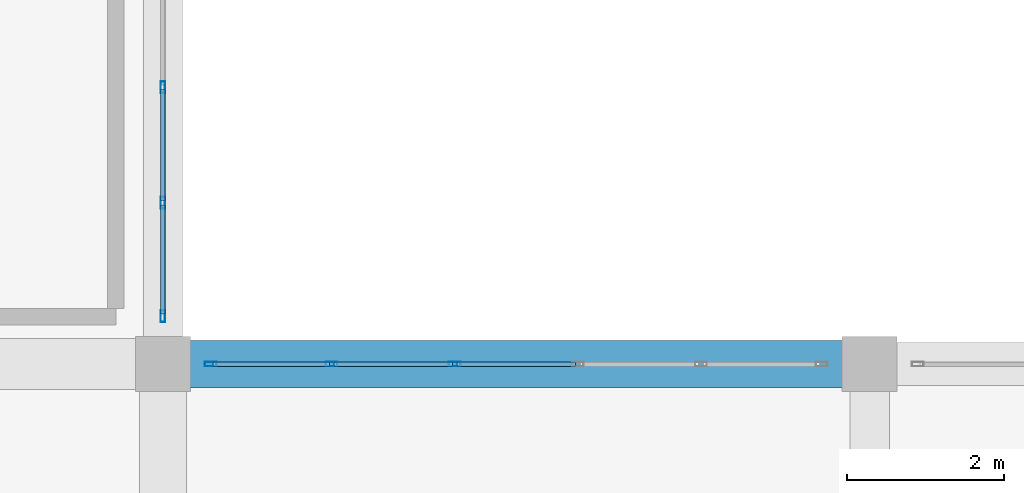
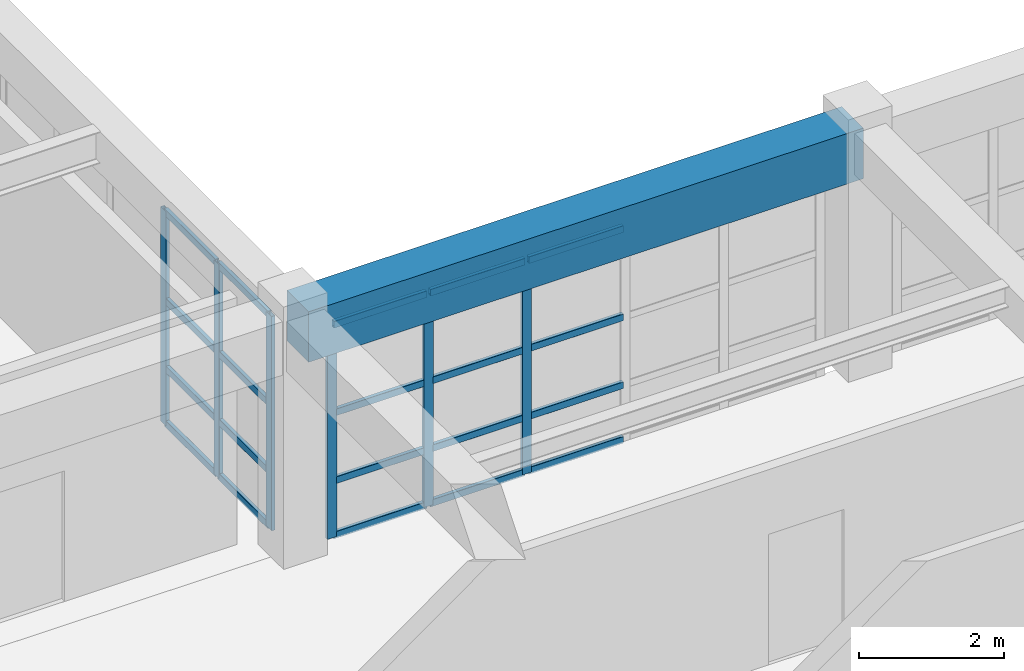
# One storey, part 54 of 133: 26 members, 1 beam, 2 elements without a shape of their own.
"""IFC4 building model written with IfcOpenShell, lengths in metres."""

from ifc_helpers import new_model, si_unit, direction, frame, origin, origin_2d, place, context, subcontext, project, spatial, rectangle, hollow_rectangle, extrude, material, material_profile, profile_set, type_object, element, aggregate, save


model = new_model("IFC4")

# Units and contexts
model_context = context("Model", 3, precision=1e-05, world=origin(), true_north=direction((0.0, 1.0)))
body_context = subcontext(model_context, "Body", "Model", "MODEL_VIEW")
ifc_project = project(units=[si_unit("LENGTHUNIT", "METRE"), si_unit("AREAUNIT", "SQUARE_METRE"), si_unit("VOLUMEUNIT", "CUBIC_METRE"), si_unit("PLANEANGLEUNIT", "RADIAN"), si_unit("MASSUNIT", "GRAM", prefix="KILO")], contexts=[model_context])

# Site, building, storey
site_placement = place(None, origin())
site = spatial("IfcSite", under=ifc_project, at=site_placement, CompositionType="ELEMENT")
building_placement = place(site_placement, origin())
building = spatial("IfcBuilding", under=site, at=building_placement, Name="Miravela Opera House", CompositionType="ELEMENT")
storey_placement = place(building_placement, frame((0.0, 0.0, 5.10009765625)))
storey = spatial("IfcBuildingStorey", under=building, at=storey_placement, Name="L01", CompositionType="ELEMENT", Elevation=5.10009765625)

# Curtain wall, members
ifc_material_1 = material(Name="Anodised architectural bronze aluminium 6063-T6", Category="aluminium")
curtain_wall_type = type_object("IfcCurtainWallType", Name="ARC-CW-05", PredefinedType="NOTDEFINED", material=ifc_material_1)
curtain_wall_1_placement = place(storey_placement, origin())
curtain_wall_1 = element("IfcCurtainWall", 1, at=curtain_wall_1_placement, inside=storey, type_object=curtain_wall_type, Name="Courtyard Arcade Curtain Wall CW-L01-077", PredefinedType="NOTDEFINED")
ifc_material_profile_1 = material_profile(ifc_material_1, hollow_rectangle(XDim=0.06005859375, YDim=0.14990234375, WallThickness=0.00390625, InnerFilletRadius=0.001953125, OuterFilletRadius=0.00390625, at=origin_2d()), Name="CWM-60X150")
ifc_profile_set_1 = profile_set([ifc_material_profile_1])
member_type_1 = type_object("IfcMemberType", Name="ARC-CWM-150", PredefinedType="MULLION", material=ifc_profile_set_1)
member_1_placement = place(storey_placement, frame((27.610107421875, 84.0, 0.0), z_axis=(0.0, 0.0, 1.0), x_axis=(0.0, 1.0, 0.0)))
member_1 = element("IfcMember", 2, at=member_1_placement, type_object=member_type_1, Name="CW-05 mullion 1", PredefinedType="MULLION", context=body_context, shape_type="SweptSolid", body=[
    extrude(hollow_rectangle(XDim=0.06005859375, YDim=0.14990234375, WallThickness=0.00390625, InnerFilletRadius=0.001953125, OuterFilletRadius=0.00390625, at=origin_2d()), origin(), (0.0, 0.0, 1.0), 3.60986328125),
])
member_2_placement = place(storey_placement, frame((29.14794921875, 84.0, 0.0), z_axis=(0.0, 0.0, 1.0), x_axis=(0.0, 1.0, 0.0)))
member_2 = element("IfcMember", 3, at=member_2_placement, type_object=member_type_1, Name="CW-05 mullion 2", PredefinedType="MULLION", context=body_context, shape_type="SweptSolid", body=[
    extrude(hollow_rectangle(XDim=0.06005859375, YDim=0.14990234375, WallThickness=0.00390625, InnerFilletRadius=0.001953125, OuterFilletRadius=0.00390625, at=origin_2d()), origin(), (0.0, 0.0, 1.0), 3.60986328125),
])
member_3_placement = place(storey_placement, frame((30.716064453125, 84.0, 0.0), z_axis=(0.0, 0.0, 1.0), x_axis=(0.0, 1.0, 0.0)))
member_3 = element("IfcMember", 4, at=member_3_placement, type_object=member_type_1, Name="CW-05 mullion 3", PredefinedType="MULLION", context=body_context, shape_type="SweptSolid", body=[
    extrude(hollow_rectangle(XDim=0.06005859375, YDim=0.14990234375, WallThickness=0.00390625, InnerFilletRadius=0.001953125, OuterFilletRadius=0.00390625, at=origin_2d()), origin(), (0.0, 0.0, 1.0), 3.60986328125),
])

curtain_wall_2_placement = place(storey_placement, origin())
curtain_wall_2 = element("IfcCurtainWall", 5, at=curtain_wall_2_placement, inside=storey, type_object=curtain_wall_type, Name="Courtyard Arcade Curtain Wall CW-L01-085", PredefinedType="NOTDEFINED")
member_4_placement = place(storey_placement, frame((27.0, 84.610107421875, 0.0), z_axis=(0.0, 0.0, 1.0), x_axis=(-1.0, 0.0, 0.0)))
member_4 = element("IfcMember", 6, at=member_4_placement, type_object=member_type_1, Name="CW-05 mullion 1", PredefinedType="MULLION", context=body_context, shape_type="SweptSolid", body=[
    extrude(hollow_rectangle(XDim=0.06005859375, YDim=0.14990234375, WallThickness=0.00390625, InnerFilletRadius=0.001953125, OuterFilletRadius=0.00390625, at=origin_2d()), origin(), (0.0, 0.0, 1.0), 3.60986328125),
])
member_5_placement = place(storey_placement, frame((27.0, 86.05322265625, 0.0), z_axis=(0.0, 0.0, 1.0), x_axis=(-1.0, 0.0, 0.0)))
member_5 = element("IfcMember", 7, at=member_5_placement, type_object=member_type_1, Name="CW-05 mullion 2", PredefinedType="MULLION", context=body_context, shape_type="SweptSolid", body=[
    extrude(hollow_rectangle(XDim=0.06005859375, YDim=0.14990234375, WallThickness=0.00390625, InnerFilletRadius=0.001953125, OuterFilletRadius=0.00390625, at=origin_2d()), origin(), (0.0, 0.0, 1.0), 3.60986328125),
])
member_6_placement = place(storey_placement, frame((27.0, 87.526611328125, 0.0), z_axis=(0.0, 0.0, 1.0), x_axis=(-1.0, 0.0, 0.0)))
member_6 = element("IfcMember", 8, at=member_6_placement, type_object=member_type_1, Name="CW-05 mullion 3", PredefinedType="MULLION", context=body_context, shape_type="SweptSolid", body=[
    extrude(hollow_rectangle(XDim=0.06005859375, YDim=0.14990234375, WallThickness=0.00390625, InnerFilletRadius=0.001953125, OuterFilletRadius=0.00390625, at=origin_2d()), origin(), (0.0, 0.0, 1.0), 3.60986328125),
])

# Member
ifc_material_profile_2 = material_profile(ifc_material_1, hollow_rectangle(XDim=0.06005859375, YDim=0.114990234375, WallThickness=0.00390625, InnerFilletRadius=0.001953125, OuterFilletRadius=0.00390625, at=origin_2d()), Name="CWT-60X115")
ifc_profile_set_2 = profile_set([ifc_material_profile_2])
member_type_2 = type_object("IfcMemberType", Name="ARC-CWT-115", PredefinedType="USERDEFINED", material=ifc_profile_set_2)
member_7_placement = place(storey_placement, frame((27.639892578125, 84.0, 0.02978515625), z_axis=(1.0, 0.0, 0.0), x_axis=(0.0, 1.0, 0.0)))
member_7 = element("IfcMember", 9, at=member_7_placement, type_object=member_type_2, Name="CW-05 transom 1.1", ObjectType="TRANSOM", PredefinedType="USERDEFINED", context=body_context, shape_type="SweptSolid", body=[
    extrude(hollow_rectangle(XDim=0.06005859375, YDim=0.114990234375, WallThickness=0.00390625, InnerFilletRadius=0.001953125, OuterFilletRadius=0.00390625, at=origin_2d()), origin(), (0.0, 0.0, 1.0), 1.47802734375),
])

member_8_placement = place(storey_placement, frame((27.639892578125, 84.0, 0.949951171875), z_axis=(1.0, 0.0, 0.0), x_axis=(0.0, 1.0, 0.0)))
member_8 = element("IfcMember", 10, at=member_8_placement, type_object=member_type_2, Name="CW-05 transom 1.2", ObjectType="TRANSOM", PredefinedType="USERDEFINED", context=body_context, shape_type="SweptSolid", body=[
    extrude(hollow_rectangle(XDim=0.06005859375, YDim=0.114990234375, WallThickness=0.00390625, InnerFilletRadius=0.001953125, OuterFilletRadius=0.00390625, at=origin_2d()), origin(), (0.0, 0.0, 1.0), 1.47802734375),
])

member_9_placement = place(storey_placement, frame((27.639892578125, 84.0, 2.09375), z_axis=(1.0, 0.0, 0.0), x_axis=(0.0, 1.0, 0.0)))
member_9 = element("IfcMember", 11, at=member_9_placement, type_object=member_type_2, Name="CW-05 transom 1.3", ObjectType="TRANSOM", PredefinedType="USERDEFINED", context=body_context, shape_type="SweptSolid", body=[
    extrude(hollow_rectangle(XDim=0.06005859375, YDim=0.114990234375, WallThickness=0.00390625, InnerFilletRadius=0.001953125, OuterFilletRadius=0.00390625, at=origin_2d()), origin(), (0.0, 0.0, 1.0), 1.47802734375),
])

member_10_placement = place(storey_placement, frame((27.639892578125, 84.0, 3.579833984375), z_axis=(1.0, 0.0, 0.0), x_axis=(0.0, 1.0, 0.0)))
member_10 = element("IfcMember", 12, at=member_10_placement, type_object=member_type_2, Name="CW-05 transom 1.4", ObjectType="TRANSOM", PredefinedType="USERDEFINED", context=body_context, shape_type="SweptSolid", body=[
    extrude(hollow_rectangle(XDim=0.06005859375, YDim=0.114990234375, WallThickness=0.00390625, InnerFilletRadius=0.001953125, OuterFilletRadius=0.00390625, at=origin_2d()), origin(), (0.0, 0.0, 1.0), 1.47802734375),
])

member_11_placement = place(storey_placement, frame((29.177978515625, 84.0, 0.02978515625), z_axis=(1.0, 0.0, 0.0), x_axis=(0.0, 1.0, 0.0)))
member_11 = element("IfcMember", 13, at=member_11_placement, type_object=member_type_2, Name="CW-05 transom 2.1", ObjectType="TRANSOM", PredefinedType="USERDEFINED", context=body_context, shape_type="SweptSolid", body=[
    extrude(hollow_rectangle(XDim=0.06005859375, YDim=0.114990234375, WallThickness=0.00390625, InnerFilletRadius=0.001953125, OuterFilletRadius=0.00390625, at=origin_2d()), origin(), (0.0, 0.0, 1.0), 1.508056640625),
])

member_12_placement = place(storey_placement, frame((29.177978515625, 84.0, 0.949951171875), z_axis=(1.0, 0.0, 0.0), x_axis=(0.0, 1.0, 0.0)))
member_12 = element("IfcMember", 14, at=member_12_placement, type_object=member_type_2, Name="CW-05 transom 2.2", ObjectType="TRANSOM", PredefinedType="USERDEFINED", context=body_context, shape_type="SweptSolid", body=[
    extrude(hollow_rectangle(XDim=0.06005859375, YDim=0.114990234375, WallThickness=0.00390625, InnerFilletRadius=0.001953125, OuterFilletRadius=0.00390625, at=origin_2d()), origin(), (0.0, 0.0, 1.0), 1.508056640625),
])

member_13_placement = place(storey_placement, frame((29.177978515625, 84.0, 2.09375), z_axis=(1.0, 0.0, 0.0), x_axis=(0.0, 1.0, 0.0)))
member_13 = element("IfcMember", 15, at=member_13_placement, type_object=member_type_2, Name="CW-05 transom 2.3", ObjectType="TRANSOM", PredefinedType="USERDEFINED", context=body_context, shape_type="SweptSolid", body=[
    extrude(hollow_rectangle(XDim=0.06005859375, YDim=0.114990234375, WallThickness=0.00390625, InnerFilletRadius=0.001953125, OuterFilletRadius=0.00390625, at=origin_2d()), origin(), (0.0, 0.0, 1.0), 1.508056640625),
])

member_14_placement = place(storey_placement, frame((29.177978515625, 84.0, 3.579833984375), z_axis=(1.0, 0.0, 0.0), x_axis=(0.0, 1.0, 0.0)))
member_14 = element("IfcMember", 16, at=member_14_placement, type_object=member_type_2, Name="CW-05 transom 2.4", ObjectType="TRANSOM", PredefinedType="USERDEFINED", context=body_context, shape_type="SweptSolid", body=[
    extrude(hollow_rectangle(XDim=0.06005859375, YDim=0.114990234375, WallThickness=0.00390625, InnerFilletRadius=0.001953125, OuterFilletRadius=0.00390625, at=origin_2d()), origin(), (0.0, 0.0, 1.0), 1.508056640625),
])

member_15_placement = place(storey_placement, frame((30.74609375, 84.0, 0.02978515625), z_axis=(1.0, 0.0, 0.0), x_axis=(0.0, 1.0, 0.0)))
member_15 = element("IfcMember", 17, at=member_15_placement, type_object=member_type_2, Name="CW-05 transom 3.1", ObjectType="TRANSOM", PredefinedType="USERDEFINED", context=body_context, shape_type="SweptSolid", body=[
    extrude(hollow_rectangle(XDim=0.06005859375, YDim=0.114990234375, WallThickness=0.00390625, InnerFilletRadius=0.001953125, OuterFilletRadius=0.00390625, at=origin_2d()), origin(), (0.0, 0.0, 1.0), 1.5078125),
])

member_16_placement = place(storey_placement, frame((30.74609375, 84.0, 0.949951171875), z_axis=(1.0, 0.0, 0.0), x_axis=(0.0, 1.0, 0.0)))
member_16 = element("IfcMember", 18, at=member_16_placement, type_object=member_type_2, Name="CW-05 transom 3.2", ObjectType="TRANSOM", PredefinedType="USERDEFINED", context=body_context, shape_type="SweptSolid", body=[
    extrude(hollow_rectangle(XDim=0.06005859375, YDim=0.114990234375, WallThickness=0.00390625, InnerFilletRadius=0.001953125, OuterFilletRadius=0.00390625, at=origin_2d()), origin(), (0.0, 0.0, 1.0), 1.5078125),
])

member_17_placement = place(storey_placement, frame((30.74609375, 84.0, 2.09375), z_axis=(1.0, 0.0, 0.0), x_axis=(0.0, 1.0, 0.0)))
member_17 = element("IfcMember", 19, at=member_17_placement, type_object=member_type_2, Name="CW-05 transom 3.3", ObjectType="TRANSOM", PredefinedType="USERDEFINED", context=body_context, shape_type="SweptSolid", body=[
    extrude(hollow_rectangle(XDim=0.06005859375, YDim=0.114990234375, WallThickness=0.00390625, InnerFilletRadius=0.001953125, OuterFilletRadius=0.00390625, at=origin_2d()), origin(), (0.0, 0.0, 1.0), 1.5078125),
])

member_18_placement = place(storey_placement, frame((30.74609375, 84.0, 3.579833984375), z_axis=(1.0, 0.0, 0.0), x_axis=(0.0, 1.0, 0.0)))
member_18 = element("IfcMember", 20, at=member_18_placement, type_object=member_type_2, Name="CW-05 transom 3.4", ObjectType="TRANSOM", PredefinedType="USERDEFINED", context=body_context, shape_type="SweptSolid", body=[
    extrude(hollow_rectangle(XDim=0.06005859375, YDim=0.114990234375, WallThickness=0.00390625, InnerFilletRadius=0.001953125, OuterFilletRadius=0.00390625, at=origin_2d()), origin(), (0.0, 0.0, 1.0), 1.5078125),
])

aggregate(curtain_wall_1, [member_1, member_2, member_3, member_7, member_8, member_9, member_10, member_11, member_12, member_13, member_14, member_15, member_16, member_17, member_18])

member_19_placement = place(storey_placement, frame((27.0, 84.639892578125, 0.02978515625), z_axis=(0.0, 1.0, 0.0), x_axis=(-1.0, 0.0, 0.0)))
member_19 = element("IfcMember", 21, at=member_19_placement, type_object=member_type_2, Name="CW-05 transom 1.1", ObjectType="TRANSOM", PredefinedType="USERDEFINED", context=body_context, shape_type="SweptSolid", body=[
    extrude(hollow_rectangle(XDim=0.06005859375, YDim=0.114990234375, WallThickness=0.00390625, InnerFilletRadius=0.001953125, OuterFilletRadius=0.00390625, at=origin_2d()), origin(), (0.0, 0.0, 1.0), 1.383544921875),
])

member_20_placement = place(storey_placement, frame((27.0, 84.639892578125, 0.949951171875), z_axis=(0.0, 1.0, 0.0), x_axis=(-1.0, 0.0, 0.0)))
member_20 = element("IfcMember", 22, at=member_20_placement, type_object=member_type_2, Name="CW-05 transom 1.2", ObjectType="TRANSOM", PredefinedType="USERDEFINED", context=body_context, shape_type="SweptSolid", body=[
    extrude(hollow_rectangle(XDim=0.06005859375, YDim=0.114990234375, WallThickness=0.00390625, InnerFilletRadius=0.001953125, OuterFilletRadius=0.00390625, at=origin_2d()), origin(), (0.0, 0.0, 1.0), 1.383544921875),
])

member_21_placement = place(storey_placement, frame((27.0, 84.639892578125, 2.09375), z_axis=(0.0, 1.0, 0.0), x_axis=(-1.0, 0.0, 0.0)))
member_21 = element("IfcMember", 23, at=member_21_placement, type_object=member_type_2, Name="CW-05 transom 1.3", ObjectType="TRANSOM", PredefinedType="USERDEFINED", context=body_context, shape_type="SweptSolid", body=[
    extrude(hollow_rectangle(XDim=0.06005859375, YDim=0.114990234375, WallThickness=0.00390625, InnerFilletRadius=0.001953125, OuterFilletRadius=0.00390625, at=origin_2d()), origin(), (0.0, 0.0, 1.0), 1.383544921875),
])

member_22_placement = place(storey_placement, frame((27.0, 84.639892578125, 3.579833984375), z_axis=(0.0, 1.0, 0.0), x_axis=(-1.0, 0.0, 0.0)))
member_22 = element("IfcMember", 24, at=member_22_placement, type_object=member_type_2, Name="CW-05 transom 1.4", ObjectType="TRANSOM", PredefinedType="USERDEFINED", context=body_context, shape_type="SweptSolid", body=[
    extrude(hollow_rectangle(XDim=0.06005859375, YDim=0.114990234375, WallThickness=0.00390625, InnerFilletRadius=0.001953125, OuterFilletRadius=0.00390625, at=origin_2d()), origin(), (0.0, 0.0, 1.0), 1.383544921875),
])

member_23_placement = place(storey_placement, frame((27.0, 86.083251953125, 0.02978515625), z_axis=(0.0, 1.0, 0.0), x_axis=(-1.0, 0.0, 0.0)))
member_23 = element("IfcMember", 25, at=member_23_placement, type_object=member_type_2, Name="CW-05 transom 2.1", ObjectType="TRANSOM", PredefinedType="USERDEFINED", context=body_context, shape_type="SweptSolid", body=[
    extrude(hollow_rectangle(XDim=0.06005859375, YDim=0.114990234375, WallThickness=0.00390625, InnerFilletRadius=0.001953125, OuterFilletRadius=0.00390625, at=origin_2d()), origin(), (0.0, 0.0, 1.0), 1.413330078125),
])

member_24_placement = place(storey_placement, frame((27.0, 86.083251953125, 0.949951171875), z_axis=(0.0, 1.0, 0.0), x_axis=(-1.0, 0.0, 0.0)))
member_24 = element("IfcMember", 26, at=member_24_placement, type_object=member_type_2, Name="CW-05 transom 2.2", ObjectType="TRANSOM", PredefinedType="USERDEFINED", context=body_context, shape_type="SweptSolid", body=[
    extrude(hollow_rectangle(XDim=0.06005859375, YDim=0.114990234375, WallThickness=0.00390625, InnerFilletRadius=0.001953125, OuterFilletRadius=0.00390625, at=origin_2d()), origin(), (0.0, 0.0, 1.0), 1.413330078125),
])

member_25_placement = place(storey_placement, frame((27.0, 86.083251953125, 2.09375), z_axis=(0.0, 1.0, 0.0), x_axis=(-1.0, 0.0, 0.0)))
member_25 = element("IfcMember", 27, at=member_25_placement, type_object=member_type_2, Name="CW-05 transom 2.3", ObjectType="TRANSOM", PredefinedType="USERDEFINED", context=body_context, shape_type="SweptSolid", body=[
    extrude(hollow_rectangle(XDim=0.06005859375, YDim=0.114990234375, WallThickness=0.00390625, InnerFilletRadius=0.001953125, OuterFilletRadius=0.00390625, at=origin_2d()), origin(), (0.0, 0.0, 1.0), 1.413330078125),
])

member_26_placement = place(storey_placement, frame((27.0, 86.083251953125, 3.579833984375), z_axis=(0.0, 1.0, 0.0), x_axis=(-1.0, 0.0, 0.0)))
member_26 = element("IfcMember", 28, at=member_26_placement, type_object=member_type_2, Name="CW-05 transom 2.4", ObjectType="TRANSOM", PredefinedType="USERDEFINED", context=body_context, shape_type="SweptSolid", body=[
    extrude(hollow_rectangle(XDim=0.06005859375, YDim=0.114990234375, WallThickness=0.00390625, InnerFilletRadius=0.001953125, OuterFilletRadius=0.00390625, at=origin_2d()), origin(), (0.0, 0.0, 1.0), 1.413330078125),
])

aggregate(curtain_wall_2, [member_4, member_5, member_6, member_19, member_20, member_21, member_22, member_23, member_24, member_25, member_26])

# Beam
ifc_material_2 = material(Name="Concrete C40/50", Category="concrete")
ifc_material_profile_3 = material_profile(ifc_material_2, rectangle(XDim=0.60009765625, YDim=0.85009765625, at=origin_2d()), Name="RC-BM-600X850")
ifc_profile_set_3 = profile_set([ifc_material_profile_3])
beam_type = type_object("IfcBeamType", Name="STR-BM-RC600X850", PredefinedType="BEAM", material=ifc_profile_set_3)
beam_placement = place(storey_placement, frame((27.080078125, 84.0, 3.73486328125), z_axis=(1.0, 0.0, 0.0), x_axis=(0.0, 1.0, 0.0)))
element("IfcBeam", 29, at=beam_placement, inside=storey, type_object=beam_type, Name="Floor Girder L01 4-5/J", PredefinedType="BEAM", context=body_context, shape_type="SweptSolid", body=[
    extrude(rectangle(XDim=0.60009765625, YDim=0.85009765625, at=origin_2d()), origin(), (0.0, 0.0, 1.0), 8.83984375),
])

save(model, "model.ifc")
